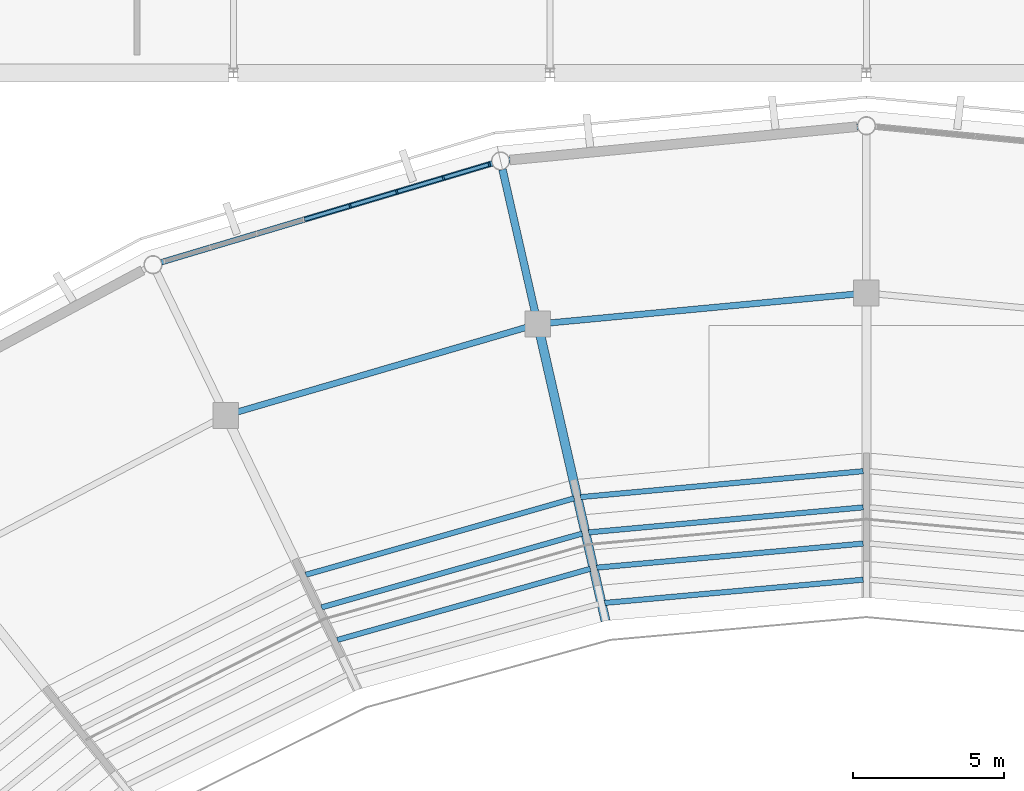
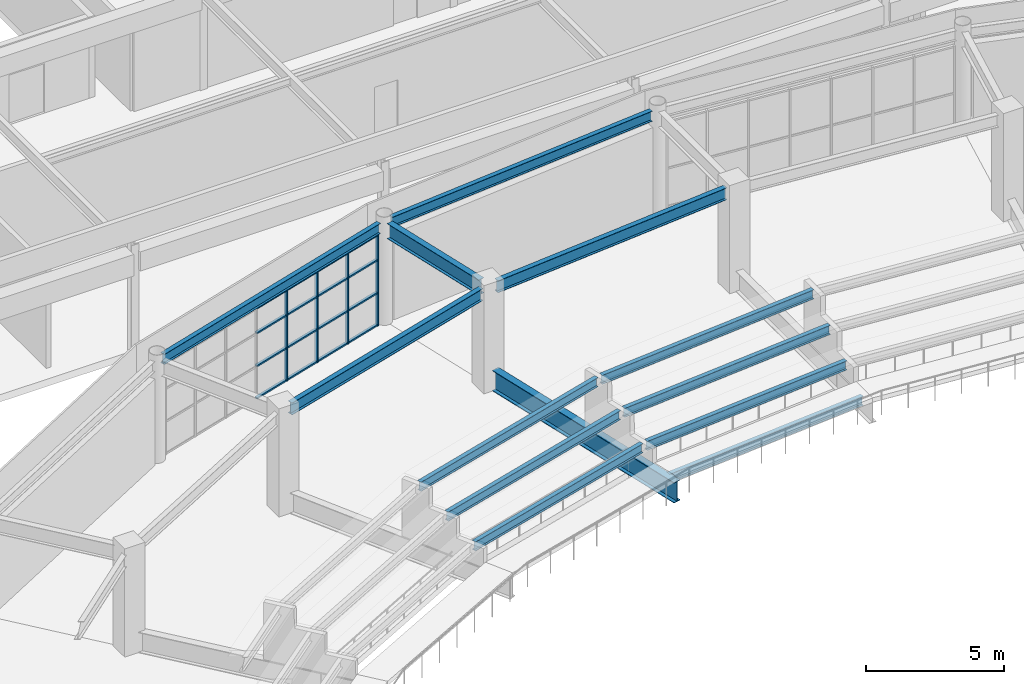
# One storey, part 57 of 122: 20 members, 13 beams, 1 element without a shape of its own.
"""IFC4 building model written with IfcOpenShell, lengths in metres."""

from ifc_helpers import new_model, si_unit, direction, frame, origin, origin_2d, place, context, subcontext, project, spatial, rectangle, i_section, extrude, material, material_profile, profile_set, type_object, element, aggregate, save


model = new_model("IFC4")

# Units and contexts
model_context = context("Model", 3, precision=1e-05, world=origin(), true_north=direction((0.0, 1.0)))
body_context = subcontext(model_context, "Body", "Model", "MODEL_VIEW")
ifc_project = project(units=[si_unit("LENGTHUNIT", "METRE"), si_unit("AREAUNIT", "SQUARE_METRE"), si_unit("VOLUMEUNIT", "CUBIC_METRE"), si_unit("PLANEANGLEUNIT", "RADIAN"), si_unit("MASSUNIT", "GRAM", prefix="KILO")], contexts=[model_context])

# Site, building, storey
site_placement = place(None, origin())
site = spatial("IfcSite", under=ifc_project, at=site_placement, CompositionType="ELEMENT")
building_placement = place(site_placement, origin())
building = spatial("IfcBuilding", under=site, at=building_placement, Name="Cuetzalor Civic Arena", CompositionType="ELEMENT")
storey_placement = place(building_placement, frame((0.0, 0.0, 16.199951171875)))
storey = spatial("IfcBuildingStorey", under=building, at=storey_placement, Name="L03", CompositionType="ELEMENT", Elevation=16.199951171875)

# Curtain wall, members
ifc_material_1 = material(Name="Anodised dark bronze aluminium and low-E solar glass", Category="aluminium")
curtain_wall_type = type_object("IfcCurtainWallType", Name="UnitisedCW_11300x4050", PredefinedType="USERDEFINED", material=ifc_material_1)
curtain_wall_placement = place(storey_placement, origin())
curtain_wall = element("IfcCurtainWall", 1, at=curtain_wall_placement, inside=storey, type_object=curtain_wall_type, Name="Drum Triangle Foyer Curtain Wall L03-048", ObjectType="UNITISED CURTAIN WALL", PredefinedType="USERDEFINED")
ifc_material_2 = material(Name="Anodised dark bronze aluminium", Category="aluminium")
ifc_material_profile_1 = material_profile(ifc_material_2, rectangle(XDim=0.06494140625, YDim=0.14990234375, at=origin_2d()), Name="ALU MULLION 65x150")
ifc_profile_set_1 = profile_set([ifc_material_profile_1], Name="Anodised dark bronze aluminium")
member_type_1 = type_object("IfcMemberType", Name="CurtainWallMullion_60x150", PredefinedType="MULLION", material=ifc_profile_set_1)
member_1_placement = place(storey_placement, frame((-17.12939453125, 43.892578125, 0.0), z_axis=(0.0, 0.0, 1.0), x_axis=(0.958193690548, 0.286120344251, 0.0)))
member_1 = element("IfcMember", 2, at=member_1_placement, type_object=member_type_1, Name="CW-15 mullion 5", PredefinedType="MULLION", context=body_context, shape_type="SweptSolid", body=[
    extrude(rectangle(XDim=0.06494140625, YDim=0.14990234375, at=origin_2d()), origin(), (0.0, 0.0, 1.0), 4.052978515625),
])
member_2_placement = place(storey_placement, frame((-15.581298828125, 44.35498046875, 0.0), z_axis=(0.0, 0.0, 1.0), x_axis=(0.958193690548, 0.286120344251, 0.0)))
member_2 = element("IfcMember", 3, at=member_2_placement, type_object=member_type_1, Name="CW-15 mullion 6", PredefinedType="MULLION", context=body_context, shape_type="SweptSolid", body=[
    extrude(rectangle(XDim=0.06494140625, YDim=0.14990234375, at=origin_2d()), origin(), (0.0, 0.0, 1.0), 4.052978515625),
])
member_3_placement = place(storey_placement, frame((-14.032958984375, 44.817138671875, 0.0), z_axis=(0.0, 0.0, 1.0), x_axis=(0.958193690548, 0.286120344251, 0.0)))
member_3 = element("IfcMember", 4, at=member_3_placement, type_object=member_type_1, Name="CW-15 mullion 7", PredefinedType="MULLION", context=body_context, shape_type="SweptSolid", body=[
    extrude(rectangle(XDim=0.06494140625, YDim=0.14990234375, at=origin_2d()), origin(), (0.0, 0.0, 1.0), 4.052978515625),
])
member_4_placement = place(storey_placement, frame((-12.51611328125, 45.270263671875, 0.0), z_axis=(0.0, 0.0, 1.0), x_axis=(0.958193690548, 0.286120344251, 0.0)))
member_4 = element("IfcMember", 5, at=member_4_placement, type_object=member_type_1, Name="CW-15 mullion 8", PredefinedType="MULLION", context=body_context, shape_type="SweptSolid", body=[
    extrude(rectangle(XDim=0.06494140625, YDim=0.14990234375, at=origin_2d()), origin(), (0.0, 0.0, 1.0), 4.052978515625),
])
ifc_material_3 = material(Name="Anodised dark bronze aluminium", Category="aluminium")
ifc_material_profile_2 = material_profile(ifc_material_3, rectangle(XDim=0.1201171875, YDim=0.06494140625, at=origin_2d()), Name="ALU TRANSOM 65x120")
ifc_profile_set_2 = profile_set([ifc_material_profile_2], Name="Anodised dark bronze aluminium")
member_type_2 = type_object("IfcMemberType", Name="CurtainWallTransom_60x120", PredefinedType="USERDEFINED", material=ifc_profile_set_2)
member_5_placement = place(storey_placement, frame((-18.646484375, 43.439697265625, 0.032470703125), z_axis=(0.958219657378, 0.286033369058, 0.0), x_axis=(-0.286033369058, 0.958219657378, 0.0)))
member_5 = element("IfcMember", 6, at=member_5_placement, type_object=member_type_2, Name="CW-15 transom 4.1", ObjectType="TRANSOM", PredefinedType="USERDEFINED", context=body_context, shape_type="SweptSolid", body=[
    extrude(rectangle(XDim=0.1201171875, YDim=0.06494140625, at=origin_2d()), origin(), (0.0, 0.0, 1.0), 1.55078125),
])
member_6_placement = place(storey_placement, frame((-18.646484375, 43.439697265625, 1.458984375), z_axis=(0.958219657378, 0.286033369058, 0.0), x_axis=(-0.286033369058, 0.958219657378, 0.0)))
member_6 = element("IfcMember", 7, at=member_6_placement, type_object=member_type_2, Name="CW-15 transom 4.2", ObjectType="TRANSOM", PredefinedType="USERDEFINED", context=body_context, shape_type="SweptSolid", body=[
    extrude(rectangle(XDim=0.1201171875, YDim=0.06494140625, at=origin_2d()), origin(), (0.0, 0.0, 1.0), 1.55078125),
])
member_7_placement = place(storey_placement, frame((-18.646484375, 43.439697265625, 2.91796875), z_axis=(0.958219657378, 0.286033369058, 0.0), x_axis=(-0.286033369058, 0.958219657378, 0.0)))
member_7 = element("IfcMember", 8, at=member_7_placement, type_object=member_type_2, Name="CW-15 transom 4.3", ObjectType="TRANSOM", PredefinedType="USERDEFINED", context=body_context, shape_type="SweptSolid", body=[
    extrude(rectangle(XDim=0.1201171875, YDim=0.06494140625, at=origin_2d()), origin(), (0.0, 0.0, 1.0), 1.55078125),
])
member_8_placement = place(storey_placement, frame((-18.646484375, 43.439697265625, 4.0205078125), z_axis=(0.958219657378, 0.286033369058, 0.0), x_axis=(-0.286033369058, 0.958219657378, 0.0)))
member_8 = element("IfcMember", 9, at=member_8_placement, type_object=member_type_2, Name="CW-15 transom 4.4", ObjectType="TRANSOM", PredefinedType="USERDEFINED", context=body_context, shape_type="SweptSolid", body=[
    extrude(rectangle(XDim=0.1201171875, YDim=0.06494140625, at=origin_2d()), origin(), (0.0, 0.0, 1.0), 1.55078125),
])
member_9_placement = place(storey_placement, frame((-17.09814453125, 43.90185546875, 0.032470703125), z_axis=(0.958163607379, 0.286221071018, 0.0), x_axis=(-0.286221071018, 0.958163607379, 0.0)))
member_9 = element("IfcMember", 10, at=member_9_placement, type_object=member_type_2, Name="CW-15 transom 5.1", ObjectType="TRANSOM", PredefinedType="USERDEFINED", context=body_context, shape_type="SweptSolid", body=[
    extrude(rectangle(XDim=0.1201171875, YDim=0.06494140625, at=origin_2d()), origin(), (0.0, 0.0, 1.0), 1.55078125),
])
member_10_placement = place(storey_placement, frame((-17.09814453125, 43.90185546875, 1.458984375), z_axis=(0.958163607379, 0.286221071018, 0.0), x_axis=(-0.286221071018, 0.958163607379, 0.0)))
member_10 = element("IfcMember", 11, at=member_10_placement, type_object=member_type_2, Name="CW-15 transom 5.2", ObjectType="TRANSOM", PredefinedType="USERDEFINED", context=body_context, shape_type="SweptSolid", body=[
    extrude(rectangle(XDim=0.1201171875, YDim=0.06494140625, at=origin_2d()), origin(), (0.0, 0.0, 1.0), 1.55078125),
])
member_11_placement = place(storey_placement, frame((-17.09814453125, 43.90185546875, 2.91796875), z_axis=(0.958163607379, 0.286221071018, 0.0), x_axis=(-0.286221071018, 0.958163607379, 0.0)))
member_11 = element("IfcMember", 12, at=member_11_placement, type_object=member_type_2, Name="CW-15 transom 5.3", ObjectType="TRANSOM", PredefinedType="USERDEFINED", context=body_context, shape_type="SweptSolid", body=[
    extrude(rectangle(XDim=0.1201171875, YDim=0.06494140625, at=origin_2d()), origin(), (0.0, 0.0, 1.0), 1.55078125),
])
member_12_placement = place(storey_placement, frame((-17.09814453125, 43.90185546875, 4.0205078125), z_axis=(0.958163607379, 0.286221071018, 0.0), x_axis=(-0.286221071018, 0.958163607379, 0.0)))
member_12 = element("IfcMember", 13, at=member_12_placement, type_object=member_type_2, Name="CW-15 transom 5.4", ObjectType="TRANSOM", PredefinedType="USERDEFINED", context=body_context, shape_type="SweptSolid", body=[
    extrude(rectangle(XDim=0.1201171875, YDim=0.06494140625, at=origin_2d()), origin(), (0.0, 0.0, 1.0), 1.55078125),
])
member_13_placement = place(storey_placement, frame((-15.550048828125, 44.3642578125, 0.032470703125), z_axis=(0.958206775077, 0.286076521576, 0.0), x_axis=(-0.286076521576, 0.958206775077, 0.0)))
member_13 = element("IfcMember", 14, at=member_13_placement, type_object=member_type_2, Name="CW-15 transom 6.1", ObjectType="TRANSOM", PredefinedType="USERDEFINED", context=body_context, shape_type="SweptSolid", body=[
    extrude(rectangle(XDim=0.1201171875, YDim=0.06494140625, at=origin_2d()), origin(), (0.0, 0.0, 1.0), 1.550537109375),
])
member_14_placement = place(storey_placement, frame((-15.550048828125, 44.3642578125, 1.458984375), z_axis=(0.958206775077, 0.286076521576, 0.0), x_axis=(-0.286076521576, 0.958206775077, 0.0)))
member_14 = element("IfcMember", 15, at=member_14_placement, type_object=member_type_2, Name="CW-15 transom 6.2", ObjectType="TRANSOM", PredefinedType="USERDEFINED", context=body_context, shape_type="SweptSolid", body=[
    extrude(rectangle(XDim=0.1201171875, YDim=0.06494140625, at=origin_2d()), origin(), (0.0, 0.0, 1.0), 1.550537109375),
])
member_15_placement = place(storey_placement, frame((-15.550048828125, 44.3642578125, 2.91796875), z_axis=(0.958206775077, 0.286076521576, 0.0), x_axis=(-0.286076521576, 0.958206775077, 0.0)))
member_15 = element("IfcMember", 16, at=member_15_placement, type_object=member_type_2, Name="CW-15 transom 6.3", ObjectType="TRANSOM", PredefinedType="USERDEFINED", context=body_context, shape_type="SweptSolid", body=[
    extrude(rectangle(XDim=0.1201171875, YDim=0.06494140625, at=origin_2d()), origin(), (0.0, 0.0, 1.0), 1.550537109375),
])
member_16_placement = place(storey_placement, frame((-15.550048828125, 44.3642578125, 4.0205078125), z_axis=(0.958206775077, 0.286076521576, 0.0), x_axis=(-0.286076521576, 0.958206775077, 0.0)))
member_16 = element("IfcMember", 17, at=member_16_placement, type_object=member_type_2, Name="CW-15 transom 6.4", ObjectType="TRANSOM", PredefinedType="USERDEFINED", context=body_context, shape_type="SweptSolid", body=[
    extrude(rectangle(XDim=0.1201171875, YDim=0.06494140625, at=origin_2d()), origin(), (0.0, 0.0, 1.0), 1.550537109375),
])
member_17_placement = place(storey_placement, frame((-14.001953125, 44.826416015625, 0.032470703125), z_axis=(0.958166375169, 0.286211805303, 0.0), x_axis=(-0.286211805303, 0.958166375169, 0.0)))
member_17 = element("IfcMember", 18, at=member_17_placement, type_object=member_type_2, Name="CW-15 transom 7.1", ObjectType="TRANSOM", PredefinedType="USERDEFINED", context=body_context, shape_type="SweptSolid", body=[
    extrude(rectangle(XDim=0.1201171875, YDim=0.06494140625, at=origin_2d()), origin(), (0.0, 0.0, 1.0), 1.518310546875),
])
member_18_placement = place(storey_placement, frame((-14.001953125, 44.826416015625, 1.458984375), z_axis=(0.958166375169, 0.286211805303, 0.0), x_axis=(-0.286211805303, 0.958166375169, 0.0)))
member_18 = element("IfcMember", 19, at=member_18_placement, type_object=member_type_2, Name="CW-15 transom 7.2", ObjectType="TRANSOM", PredefinedType="USERDEFINED", context=body_context, shape_type="SweptSolid", body=[
    extrude(rectangle(XDim=0.1201171875, YDim=0.06494140625, at=origin_2d()), origin(), (0.0, 0.0, 1.0), 1.518310546875),
])
member_19_placement = place(storey_placement, frame((-14.001953125, 44.826416015625, 2.91796875), z_axis=(0.958166375169, 0.286211805303, 0.0), x_axis=(-0.286211805303, 0.958166375169, 0.0)))
member_19 = element("IfcMember", 20, at=member_19_placement, type_object=member_type_2, Name="CW-15 transom 7.3", ObjectType="TRANSOM", PredefinedType="USERDEFINED", context=body_context, shape_type="SweptSolid", body=[
    extrude(rectangle(XDim=0.1201171875, YDim=0.06494140625, at=origin_2d()), origin(), (0.0, 0.0, 1.0), 1.518310546875),
])
member_20_placement = place(storey_placement, frame((-14.001953125, 44.826416015625, 4.0205078125), z_axis=(0.958166375169, 0.286211805303, 0.0), x_axis=(-0.286211805303, 0.958166375169, 0.0)))
member_20 = element("IfcMember", 21, at=member_20_placement, type_object=member_type_2, Name="CW-15 transom 7.4", ObjectType="TRANSOM", PredefinedType="USERDEFINED", context=body_context, shape_type="SweptSolid", body=[
    extrude(rectangle(XDim=0.1201171875, YDim=0.06494140625, at=origin_2d()), origin(), (0.0, 0.0, 1.0), 1.518310546875),
])
aggregate(curtain_wall, [member_1, member_2, member_3, member_4, member_5, member_6, member_7, member_8, member_9, member_10, member_11, member_12, member_13, member_14, member_15, member_16, member_17, member_18, member_19, member_20])

# Beams
ifc_material_4 = material(Name="Steel S355", Category="steel")
ifc_material_profile_3 = material_profile(ifc_material_4, i_section(OverallWidth=0.18994140625, OverallDepth=0.45703125, WebThickness=0.009033203125, FlangeThickness=0.014404296875, at=origin_2d()), Name="W460x74")
ifc_profile_set_3 = profile_set([ifc_material_profile_3], Name="Steel S355")
beam_type_1 = type_object("IfcBeamType", Name="FacadeSpandrelBeam_W460", PredefinedType="SPANDREL", material=ifc_profile_set_3)
beam_1_placement = place(storey_placement, frame((-0.288818359375, 46.522216796875, 4.29150390625), z_axis=(-0.995409568272, -0.095706799095, 0.0), x_axis=(0.095706799095, -0.995409568272, 0.0)))
element("IfcBeam", 22, at=beam_1_placement, inside=storey, type_object=beam_type_1, Name="Drum Perimeter Spandrel L03-S08", PredefinedType="SPANDREL", context=body_context, shape_type="SweptSolid", body=[
    extrude(i_section(OverallWidth=0.18994140625, OverallDepth=0.45703125, WebThickness=0.009033203125, FlangeThickness=0.014404296875, at=origin_2d()), origin(), (0.0, 0.0, 1.0), 11.6142578125),
])
beam_2_placement = place(storey_placement, frame((-12.41650390625, 45.2998046875, 4.29150390625), z_axis=(-0.958199215373, -0.28610184141, 0.0), x_axis=(0.28610184141, -0.958199215373, 0.0)))
element("IfcBeam", 23, at=beam_2_placement, inside=storey, type_object=beam_type_1, Name="Drum Perimeter Spandrel L03-S09", PredefinedType="SPANDREL", context=body_context, shape_type="SweptSolid", body=[
    extrude(i_section(OverallWidth=0.18994140625, OverallDepth=0.45703125, WebThickness=0.009033203125, FlangeThickness=0.014404296875, at=origin_2d()), origin(), (0.0, 0.0, 1.0), 11.45263671875),
])
ifc_material_5 = material(Name="Steel S355", Category="steel")
ifc_material_profile_4 = material_profile(ifc_material_5, i_section(OverallWidth=0.208984375, OverallDepth=0.532958984375, WebThickness=0.01025390625, FlangeThickness=0.015625, at=origin_2d()), Name="W530x92")
ifc_profile_set_4 = profile_set([ifc_material_profile_4], Name="Steel S355")
beam_type_2 = type_object("IfcBeamType", Name="SteelCollarGirder_W530", PredefinedType="BEAM", material=ifc_profile_set_4)
beam_3_placement = place(storey_placement, frame((-0.368408203125, 40.96533203125, 4.253662109375), z_axis=(-0.995583045118, -0.093885037538, 0.0), x_axis=(0.093885037538, -0.995583045118, 0.0)))
element("IfcBeam", 24, at=beam_3_placement, inside=storey, type_object=beam_type_2, Name="Drum Concourse Ring Girder L03-S08", PredefinedType="BEAM", context=body_context, shape_type="SweptSolid", body=[
    extrude(i_section(OverallWidth=0.208984375, OverallDepth=0.532958984375, WebThickness=0.01025390625, FlangeThickness=0.015625, at=origin_2d()), origin(), (0.0, 0.0, 1.0), 10.2119140625),
])
beam_4_placement = place(storey_placement, frame((-11.258544921875, 39.867919921875, 4.253662109375), z_axis=(-0.959716323112, -0.280970779889, 0.0), x_axis=(0.280970779889, -0.959716323112, 0.0)))
element("IfcBeam", 25, at=beam_4_placement, inside=storey, type_object=beam_type_2, Name="Drum Concourse Ring Girder L03-S09", PredefinedType="BEAM", context=body_context, shape_type="SweptSolid", body=[
    extrude(i_section(OverallWidth=0.208984375, OverallDepth=0.532958984375, WebThickness=0.01025390625, FlangeThickness=0.015625, at=origin_2d()), origin(), (0.0, 0.0, 1.0), 10.0517578125),
])
ifc_material_6 = material(Name="Steel S355", Category="steel")
ifc_material_profile_5 = material_profile(ifc_material_6, i_section(OverallWidth=0.2529296875, OverallDepth=0.677978515625, WebThickness=0.01171875, FlangeThickness=0.016357421875, at=origin_2d()), Name="W690x125")
ifc_profile_set_5 = profile_set([ifc_material_profile_5], Name="Steel S355")
beam_type_3 = type_object("IfcBeamType", Name="SteelPrimaryGirder_W690", PredefinedType="BEAM", material=ifc_profile_set_5)
beam_5_placement = place(storey_placement, frame((-10.983642578125, 40.322998046875, 4.18115234375), z_axis=(-0.222519036633, 0.974928345231, 0.0), x_axis=(-0.974928345231, -0.222519036633, 0.0)))
element("IfcBeam", 26, at=beam_5_placement, inside=storey, type_object=beam_type_3, Name="Drum Radial Girder L03-R09", PredefinedType="BEAM", context=body_context, shape_type="SweptSolid", body=[
    extrude(i_section(OverallWidth=0.2529296875, OverallDepth=0.677978515625, WebThickness=0.01171875, FlangeThickness=0.016357421875, at=origin_2d()), origin(), (0.0, 0.0, 1.0), 4.89990234375),
])
ifc_material_7 = material(Name="Steel S355", Category="steel")
ifc_material_profile_6 = material_profile(ifc_material_7, i_section(OverallWidth=0.177978515625, OverallDepth=0.406982421875, WebThickness=0.0078125, FlangeThickness=0.0126953125, at=origin_2d()), Name="W410x60")
ifc_profile_set_6 = profile_set([ifc_material_profile_6], Name="Steel S355")
beam_type_4 = type_object("IfcBeamType", Name="SteelSecondaryBeam_W410", PredefinedType="BEAM", material=ifc_profile_set_6)
beam_6_placement = place(storey_placement, frame((-0.107666015625, 31.490234375, 0.70751953125), z_axis=(-0.995989110242, -0.089474534249, 0.0), x_axis=(0.089474534249, -0.995989110242, 0.0)))
element("IfcBeam", 27, at=beam_6_placement, inside=storey, type_object=beam_type_4, Name="Upper Bowl Tier Carrier Beam S08-R1", PredefinedType="BEAM", context=body_context, shape_type="SweptSolid", body=[
    extrude(i_section(OverallWidth=0.177978515625, OverallDepth=0.406982421875, WebThickness=0.0078125, FlangeThickness=0.0126953125, at=origin_2d()), origin(), (0.0, 0.0, 1.0), 8.608642578125),
])
beam_7_placement = place(storey_placement, frame((-0.107666015625, 32.690185546875, 1.551513671875), z_axis=(-0.995928296807, -0.090148919118, 0.0), x_axis=(0.090148919118, -0.995928296807, 0.0)))
element("IfcBeam", 28, at=beam_7_placement, inside=storey, type_object=beam_type_4, Name="Upper Bowl Tier Carrier Beam S08-R2", PredefinedType="BEAM", context=body_context, shape_type="SweptSolid", body=[
    extrude(i_section(OverallWidth=0.177978515625, OverallDepth=0.406982421875, WebThickness=0.0078125, FlangeThickness=0.0126953125, at=origin_2d()), origin(), (0.0, 0.0, 1.0), 8.87744140625),
])
beam_8_placement = place(storey_placement, frame((-0.107666015625, 33.89013671875, 2.401611328125), z_axis=(-0.995870639536, -0.090783640106, 0.0), x_axis=(0.090783640106, -0.995870639536, 0.0)))
element("IfcBeam", 29, at=beam_8_placement, inside=storey, type_object=beam_type_4, Name="Upper Bowl Tier Carrier Beam S08-R3", PredefinedType="BEAM", context=body_context, shape_type="SweptSolid", body=[
    extrude(i_section(OverallWidth=0.177978515625, OverallDepth=0.406982421875, WebThickness=0.0078125, FlangeThickness=0.0126953125, at=origin_2d()), origin(), (0.0, 0.0, 1.0), 9.146240234375),
])
beam_9_placement = place(storey_placement, frame((-0.107421875, 35.090087890625, 3.25146484375), z_axis=(-0.995818478787, -0.091354021841, 0.0), x_axis=(0.091354021841, -0.995818478787, 0.0)))
element("IfcBeam", 30, at=beam_9_placement, inside=storey, type_object=beam_type_4, Name="Upper Bowl Tier Carrier Beam S08-R4", PredefinedType="BEAM", context=body_context, shape_type="SweptSolid", body=[
    extrude(i_section(OverallWidth=0.177978515625, OverallDepth=0.406982421875, WebThickness=0.0078125, FlangeThickness=0.0126953125, at=origin_2d()), origin(), (0.0, 0.0, 1.0), 9.4150390625),
])
beam_10_placement = place(storey_placement, frame((-9.16064453125, 31.850830078125, 1.551513671875), z_axis=(-0.962683770565, -0.270628819401, 0.0), x_axis=(0.270628819401, -0.962683770565, 0.0)))
element("IfcBeam", 31, at=beam_10_placement, inside=storey, type_object=beam_type_4, Name="Upper Bowl Tier Carrier Beam S09-R2", PredefinedType="BEAM", context=body_context, shape_type="SweptSolid", body=[
    extrude(i_section(OverallWidth=0.177978515625, OverallDepth=0.406982421875, WebThickness=0.0078125, FlangeThickness=0.0126953125, at=origin_2d()), origin(), (0.0, 0.0, 1.0), 8.719970703125),
])
beam_11_placement = place(storey_placement, frame((-9.427490234375, 33.020751953125, 2.401611328125), z_axis=(-0.962180257647, -0.272413567567, 0.0), x_axis=(0.272413567567, -0.962180257647, 0.0)))
element("IfcBeam", 32, at=beam_11_placement, inside=storey, type_object=beam_type_4, Name="Upper Bowl Tier Carrier Beam S09-R3", PredefinedType="BEAM", context=body_context, shape_type="SweptSolid", body=[
    extrude(i_section(OverallWidth=0.177978515625, OverallDepth=0.406982421875, WebThickness=0.0078125, FlangeThickness=0.0126953125, at=origin_2d()), origin(), (0.0, 0.0, 1.0), 8.988037109375),
])
beam_12_placement = place(storey_placement, frame((-9.694580078125, 34.1904296875, 3.25146484375), z_axis=(-0.961709849656, -0.27406963545, 0.0), x_axis=(0.27406963545, -0.961709849656, 0.0)))
element("IfcBeam", 33, at=beam_12_placement, inside=storey, type_object=beam_type_4, Name="Upper Bowl Tier Carrier Beam S09-R4", PredefinedType="BEAM", context=body_context, shape_type="SweptSolid", body=[
    extrude(i_section(OverallWidth=0.177978515625, OverallDepth=0.406982421875, WebThickness=0.0078125, FlangeThickness=0.0126953125, at=origin_2d()), origin(), (0.0, 0.0, 1.0), 9.25634765625),
])
ifc_material_8 = material(Name="Steel S355", Category="steel")
ifc_material_profile_7 = material_profile(ifc_material_8, i_section(OverallWidth=0.303955078125, OverallDepth=0.910888671875, WebThickness=0.015869140625, FlangeThickness=0.02392578125, at=origin_2d()), Name="W920x223")
ifc_profile_set_7 = profile_set([ifc_material_profile_7], Name="Steel S355")
beam_type_5 = type_object("IfcBeamType", Name="UpperBowlRakerBeam_W840", PredefinedType="USERDEFINED", material=ifc_profile_set_7)
beam_13_placement = place(storey_placement, frame((-8.656005859375, 30.125244140625, 0.45556640625), z_axis=(-0.222514477125, 0.974929385889, 0.0), x_axis=(-0.974929385889, -0.222514477125, 0.0)))
element("IfcBeam", 34, at=beam_13_placement, inside=storey, type_object=beam_type_5, Name="Upper Bowl Raker Beam R09", ObjectType="RAKER", PredefinedType="USERDEFINED", context=body_context, shape_type="SweptSolid", body=[
    extrude(i_section(OverallWidth=0.303955078125, OverallDepth=0.910888671875, WebThickness=0.015869140625, FlangeThickness=0.02392578125, at=origin_2d()), origin(), (0.0, 0.0, 1.0), 9.719970703125),
])

save(model, "model.ifc")
